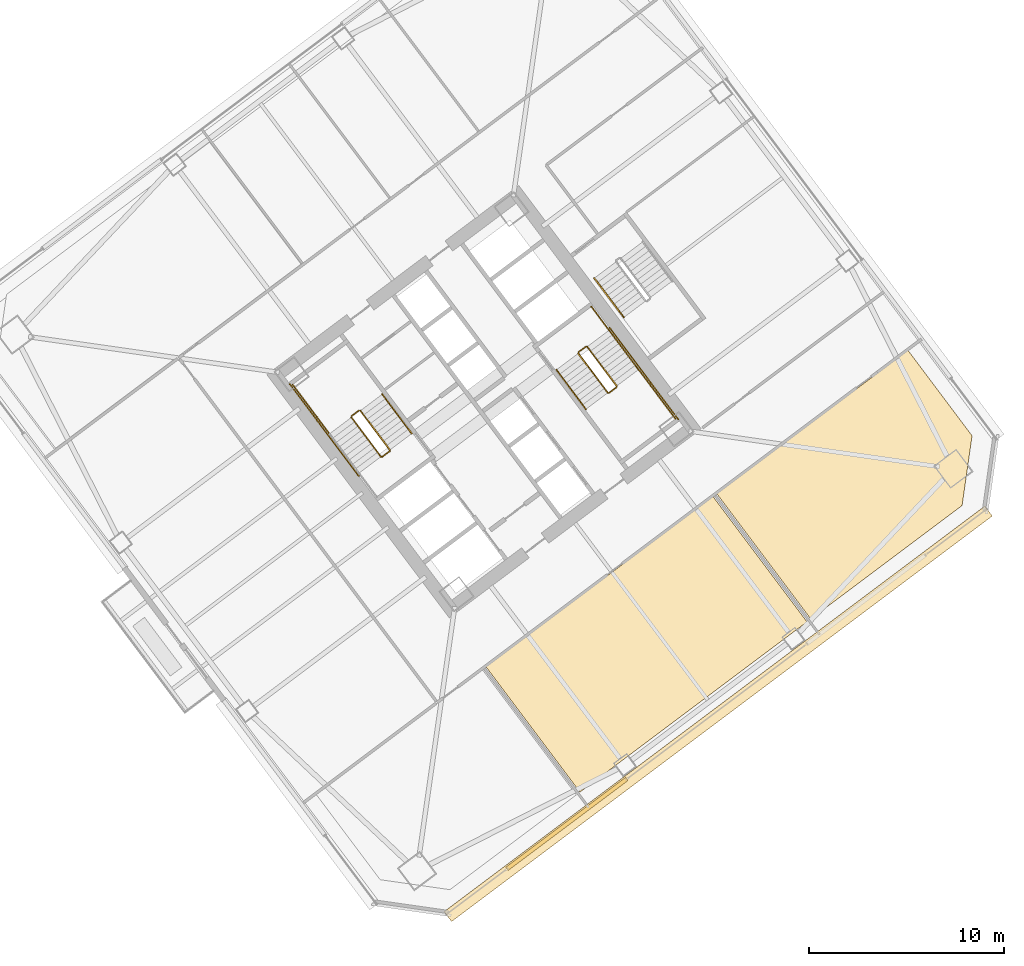
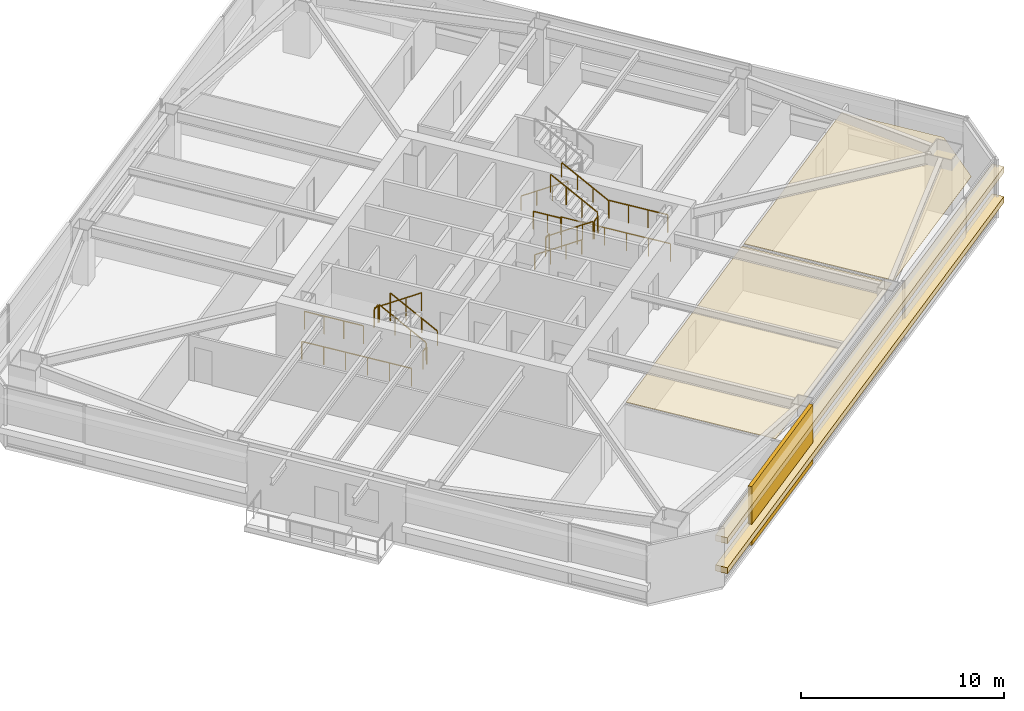
# One storey, part 41 of 44: 17 railings, 5 coverings.
"""IFC4 building model written with IfcOpenShell, lengths in metres."""

from ifc_helpers import new_model, si_unit, direction, frame, origin, origin_2d, place, context, subcontext, project, spatial, polyline, rectangle, outline, extrude, material, layer, layer_set, type_object, element, save


model = new_model("IFC4")

# Units and contexts
model_context = context("Model", 3, precision=1e-05, world=origin(), true_north=direction((0.0, 1.0)))
body_context = subcontext(model_context, "Body", "Model", "MODEL_VIEW")
ifc_project = project(units=[si_unit("LENGTHUNIT", "METRE"), si_unit("AREAUNIT", "SQUARE_METRE"), si_unit("VOLUMEUNIT", "CUBIC_METRE"), si_unit("PLANEANGLEUNIT", "RADIAN"), si_unit("MASSUNIT", "GRAM", prefix="KILO")], contexts=[model_context])

# Site, building, storey
site_placement = place(None, origin())
site = spatial("IfcSite", under=ifc_project, at=site_placement, CompositionType="ELEMENT")
building_placement = place(site_placement, origin())
building = spatial("IfcBuilding", under=site, at=building_placement, Name="Tashvorn Skyway Center", CompositionType="ELEMENT")
storey_placement = place(building_placement, frame((0.0, 0.0, 84.949951171875)))
storey = spatial("IfcBuildingStorey", under=building, at=storey_placement, Name="L22", CompositionType="ELEMENT", Elevation=84.949951171875)

# Coverings
ifc_material_1 = material(Name="Precast concrete C40/50", Category="concrete")
ifc_layer_1 = layer(ifc_material_1, 0.199951171875)
ifc_layer_set_1 = layer_set([ifc_layer_1], Name="Precast concrete C40/50")
covering_type_1 = type_object("IfcCoveringType", Name="COV-BRACE-CLAD", PredefinedType="CLADDING", material=ifc_layer_set_1)
covering_1_placement = place(storey_placement, frame((118.248046875, 10.3359375, 0.0), z_axis=(0.0, 0.0, 1.0), x_axis=(-0.799999996291, -0.600000004945, 0.0)))
element("IfcCovering", 1, at=covering_1_placement, inside=storey, type_object=covering_type_1, Name="Tower 2 L22 South Unitised Curtain Wall Mega-Brace Cladding Band 2", PredefinedType="CLADDING", context=body_context, shape_type="SweptSolid", body=[
    extrude(rectangle(XDim=7.679931640625, YDim=0.199951171875, at=origin_2d()), origin(), (0.0, 0.0, 1.0), 3.550048828125),
])
ifc_material_2 = material(Name="Mineral-fibre acoustic ceiling tile on suspended grid")
ifc_layer_2 = layer(ifc_material_2, 0.02001953125)
ifc_layer_set_2 = layer_set([ifc_layer_2], Name="Mineral-fibre acoustic ceiling tile on suspended grid")
covering_type_2 = type_object("IfcCoveringType", Name="COV-CEIL-20", PredefinedType="CEILING", material=ifc_layer_set_2)
covering_2_placement = place(storey_placement, frame((0.0, 0.0, 2.68310546875)))
element("IfcCovering", 2, at=covering_2_placement, inside=storey, type_object=covering_type_2, Name="Tower 2 L22 Security Control Room Acoustic Ceiling", PredefinedType="CEILING", context=body_context, shape_type="SweptSolid", body=[
    extrude(outline(polyline([(114.10009765625, 18.39990234375), (125.748046875, 27.135986328125), (130.572021484375, 20.7041015625), (118.924072265625, 11.968017578125), (114.10009765625, 18.39990234375)])), origin(), (0.0, 0.0, 1.0), 0.02001953125),
])
covering_3_placement = place(storey_placement, frame((0.0, 0.0, 2.68310546875)))
element("IfcCovering", 3, at=covering_3_placement, inside=storey, type_object=covering_type_2, Name="Tower 2 L22 Security Control Room Acoustic Ceiling", PredefinedType="CEILING", context=body_context, shape_type="SweptSolid", body=[
    extrude(outline(polyline([(130.763916015625, 20.847900390625), (125.93994140625, 27.280029296875), (135.748046875, 34.635986328125), (139.035888671875, 30.251953125), (138.52392578125, 26.66796875), (130.763916015625, 20.847900390625)])), origin(), (0.0, 0.0, 1.0), 0.02001953125),
])
ifc_material_3 = material(Name="Perforated ceramic-coated bronze aluminium solar screen", Category="aluminium")
ifc_layer_3 = layer(ifc_material_3, 0.85009765625)
ifc_layer_set_3 = layer_set([ifc_layer_3], Name="Perforated ceramic-coated bronze aluminium solar screen")
covering_type_3 = type_object("IfcCoveringType", Name="COV-SOLAR-BAND", PredefinedType="CLADDING", material=ifc_layer_set_3)
for number, where, z_axis, x_axis, name in (
    (4, (126.011962890625, 15.98388671875, 0.919921875), (0.0, 0.0, 1.0), (-0.799999996291, -0.600000004945, 0.0), "L22 Perforated Ceramic-Metal Solar Screen Louvre Band South 1"),
    (5, (126.011962890625, 15.98388671875, 2.72021484375), (0.0, 0.0, 1.0), (-0.799999996291, -0.600000004945, 0.0), "L22 Perforated Ceramic-Metal Solar Screen Louvre Band South 2"),
):
    element("IfcCovering", number, at=place(storey_placement, frame(where, z_axis=z_axis, x_axis=x_axis)), inside=storey, type_object=covering_type_3, Name=name, PredefinedType="CLADDING", context=body_context, shape_type="SweptSolid", body=[
        extrude(rectangle(XDim=34.679931640625, YDim=0.639892578125, at=origin_2d()), origin(), (0.0, 0.0, 1.0), 0.360107421875),
    ])

# Railings
ifc_material_4 = material(Name="Brushed stainless steel 316", Category="steel")
railing_type_1 = type_object("IfcRailingType", Name="RAIL-HAND-920", PredefinedType="HANDRAIL", material=ifc_material_4)
railing_1_placement = place(storey_placement, frame((110.2880859375, 30.365966796875, 0.177490234375)))
element("IfcRailing", 6, at=railing_1_placement, inside=storey, type_object=railing_type_1, Name="L22 ST-T2-1 stair handrail 1", PredefinedType="HANDRAIL", context=body_context, shape_type="SweptSolid", body=[
    extrude(rectangle(XDim=0.048095703125, YDim=0.048095703125, at=origin_2d()), frame((0.0, 0.0, 0.8759765625), z_axis=(-0.506779409603, 0.675651334276, 0.53541563714), x_axis=(-0.799976749893, -0.600030998891, 0.0)), (0.0, 0.0, 1.0), 2.98388671875),
    extrude(rectangle(XDim=0.0419921875, YDim=0.0419921875, at=origin_2d()), origin(), (0.0, 0.0, 1.0), 0.851806640625),
    extrude(rectangle(XDim=0.0419921875, YDim=0.0419921875, at=origin_2d()), frame((-0.504150390625, 0.672119140625, 0.532470703125)), (0.0, 0.0, 1.0), 0.851806640625),
    extrude(rectangle(XDim=0.0419921875, YDim=0.0419921875, at=origin_2d()), frame((-1.008056640625, 1.343994140625, 1.065185546875)), (0.0, 0.0, 1.0), 0.851806640625),
    extrude(rectangle(XDim=0.0419921875, YDim=0.0419921875, at=origin_2d()), frame((-1.51220703125, 2.01611328125, 1.59765625)), (0.0, 0.0, 1.0), 0.851806640625),
])
railing_2_placement = place(storey_placement, frame((117.7119140625, 33.634033203125, 0.177490234375)))
element("IfcRailing", 7, at=railing_2_placement, inside=storey, type_object=railing_type_1, Name="L22 ST-T2-2 stair handrail 1", PredefinedType="HANDRAIL", context=body_context, shape_type="SweptSolid", body=[
    extrude(rectangle(XDim=0.048095703125, YDim=0.048095703125, at=origin_2d()), frame((0.0, 0.0, 0.8759765625), z_axis=(0.506779409603, -0.675651334276, 0.53541563714), x_axis=(0.799976749893, 0.600030998891, 0.0)), (0.0, 0.0, 1.0), 2.98388671875),
    extrude(rectangle(XDim=0.0419921875, YDim=0.0419921875, at=origin_2d()), origin(), (0.0, 0.0, 1.0), 0.851806640625),
    extrude(rectangle(XDim=0.0419921875, YDim=0.0419921875, at=origin_2d()), frame((0.504150390625, -0.672119140625, 0.532470703125)), (0.0, 0.0, 1.0), 0.851806640625),
    extrude(rectangle(XDim=0.0419921875, YDim=0.0419921875, at=origin_2d()), frame((1.008056640625, -1.343994140625, 1.065185546875)), (0.0, 0.0, 1.0), 0.851806640625),
    extrude(rectangle(XDim=0.0419921875, YDim=0.0419921875, at=origin_2d()), frame((1.51220703125, -2.01611328125, 1.59765625)), (0.0, 0.0, 1.0), 0.851806640625),
])
railing_3_placement = place(storey_placement, frame((121.927978515625, 33.64599609375, 1.95263671875)))
element("IfcRailing", 8, at=railing_3_placement, inside=storey, type_object=railing_type_1, Name="L22 ST-T2-2 stair handrail 2", PredefinedType="HANDRAIL", context=body_context, shape_type="SweptSolid", body=[
    extrude(rectangle(XDim=0.048095703125, YDim=0.048095703125, at=origin_2d()), frame((0.0, 0.0, 0.8759765625), z_axis=(-0.506740800098, 0.675708949977, 0.535379469569), x_axis=(-0.800023250257, -0.599968998406, 0.0)), (0.0, 0.0, 1.0), 2.983642578125),
    extrude(rectangle(XDim=0.0419921875, YDim=0.0419921875, at=origin_2d()), origin(), (0.0, 0.0, 1.0), 0.851806640625),
    extrude(rectangle(XDim=0.0419921875, YDim=0.0419921875, at=origin_2d()), frame((-0.50390625, 0.672119140625, 0.532470703125)), (0.0, 0.0, 1.0), 0.851806640625),
    extrude(rectangle(XDim=0.0419921875, YDim=0.0419921875, at=origin_2d()), frame((-1.008056640625, 1.343994140625, 1.06494140625)), (0.0, 0.0, 1.0), 0.851806640625),
    extrude(rectangle(XDim=0.0419921875, YDim=0.0419921875, at=origin_2d()), frame((-1.511962890625, 2.01611328125, 1.597412109375)), (0.0, 0.0, 1.0), 0.851806640625),
])
railing_4_placement = place(storey_placement, frame((119.656005859375, 38.342041015625, 0.177490234375)))
element("IfcRailing", 9, at=railing_4_placement, inside=storey, type_object=railing_type_1, Name="L22 ST-T2-3 stair handrail 1", PredefinedType="HANDRAIL", context=body_context, shape_type="SweptSolid", body=[
    extrude(rectangle(XDim=0.048095703125, YDim=0.048095703125, at=origin_2d()), frame((0.0, 0.0, 0.8759765625), z_axis=(0.506718600913, -0.675679348675, 0.535437836974), x_axis=(0.800023250257, 0.599968998406, 0.0)), (0.0, 0.0, 1.0), 2.98388671875),
    extrude(rectangle(XDim=0.0419921875, YDim=0.0419921875, at=origin_2d()), origin(), (0.0, 0.0, 1.0), 0.851806640625),
    extrude(rectangle(XDim=0.0419921875, YDim=0.0419921875, at=origin_2d()), frame((0.50390625, -0.672119140625, 0.532470703125)), (0.0, 0.0, 1.0), 0.851806640625),
    extrude(rectangle(XDim=0.0419921875, YDim=0.0419921875, at=origin_2d()), frame((1.008056640625, -1.343994140625, 1.065185546875)), (0.0, 0.0, 1.0), 0.851806640625),
    extrude(rectangle(XDim=0.0419921875, YDim=0.0419921875, at=origin_2d()), frame((1.511962890625, -2.01611328125, 1.59765625)), (0.0, 0.0, 1.0), 0.851806640625),
])
ifc_material_5 = material(Name="Painted galvanized steel S355", Category="steel")
railing_type_2 = type_object("IfcRailingType", Name="RAIL-STGUARD-1100", PredefinedType="GUARDRAIL", material=ifc_material_5)
railing_5_placement = place(storey_placement, frame((109.16796875, 29.52587890625, 0.177490234375)))
element("IfcRailing", 10, at=railing_5_placement, inside=storey, type_object=railing_type_2, Name="L22 ST-T2-1 stair guard 1", PredefinedType="GUARDRAIL", context=body_context, shape_type="SweptSolid", body=[
    extrude(rectangle(XDim=0.048095703125, YDim=0.048095703125, at=origin_2d()), frame((0.0, 0.0, 1.076171875), z_axis=(-0.506718600913, 0.675679348675, 0.535437836974), x_axis=(-0.800023250257, -0.599968998406, 0.0)), (0.0, 0.0, 1.0), 2.98388671875),
    extrude(rectangle(XDim=0.0419921875, YDim=0.0419921875, at=origin_2d()), origin(), (0.0, 0.0, 1.0), 1.052001953125),
    extrude(rectangle(XDim=0.0419921875, YDim=0.0419921875, at=origin_2d()), frame((-0.50390625, 0.672119140625, 0.532470703125)), (0.0, 0.0, 1.0), 1.052001953125),
    extrude(rectangle(XDim=0.0419921875, YDim=0.0419921875, at=origin_2d()), frame((-1.008056640625, 1.343994140625, 1.065185546875)), (0.0, 0.0, 1.0), 1.052001953125),
    extrude(rectangle(XDim=0.0419921875, YDim=0.0419921875, at=origin_2d()), frame((-1.511962890625, 2.01611328125, 1.59765625)), (0.0, 0.0, 1.0), 1.052001953125),
])
railing_6_placement = place(storey_placement, frame((107.5859375, 31.552001953125, 1.775146484375)))
element("IfcRailing", 11, at=railing_6_placement, inside=storey, type_object=railing_type_2, Name="L22 ST-T2-1 stair guard 2", PredefinedType="GUARDRAIL", context=body_context, shape_type="SweptSolid", body=[
    extrude(rectangle(XDim=0.048095703125, YDim=0.048095703125, at=origin_2d()), frame((0.0, 0.0, 1.076171875), z_axis=(-0.799938970639, -0.600081363861, 0.0), x_axis=(0.600081363861, -0.799938970639, 0.0)), (0.0, 0.0, 1.0), 0.47998046875),
    extrude(rectangle(XDim=0.0419921875, YDim=0.0419921875, at=origin_2d()), origin(), (0.0, 0.0, 1.0), 1.052001953125),
    extrude(rectangle(XDim=0.0419921875, YDim=0.0419921875, at=origin_2d()), frame((-0.384033203125, -0.2880859375, 0.0)), (0.0, 0.0, 1.0), 1.052001953125),
])
railing_7_placement = place(storey_placement, frame((106.072021484375, 30.35400390625, 1.775146484375)))
element("IfcRailing", 12, at=railing_7_placement, inside=storey, type_object=railing_type_2, Name="L22 ST-T2-1 stair guard 3", PredefinedType="GUARDRAIL", context=body_context, shape_type="SweptSolid", body=[
    extrude(rectangle(XDim=0.048095703125, YDim=0.048095703125, at=origin_2d()), frame((0.0, 0.0, 1.076171875), z_axis=(-0.599987638607, 0.800009270896, 0.0), x_axis=(-0.800009270896, -0.599987638607, 0.0)), (0.0, 0.0, 1.0), 3.16015625),
    extrude(rectangle(XDim=0.0419921875, YDim=0.0419921875, at=origin_2d()), origin(), (0.0, 0.0, 1.0), 1.052001953125),
    extrude(rectangle(XDim=0.0419921875, YDim=0.0419921875, at=origin_2d()), frame((-0.632080078125, 0.8427734375, 0.0)), (0.0, 0.0, 1.0), 1.052001953125),
    extrude(rectangle(XDim=0.0419921875, YDim=0.0419921875, at=origin_2d()), frame((-1.263916015625, 1.685302734375, 0.0)), (0.0, 0.0, 1.0), 1.052001953125),
    extrude(rectangle(XDim=0.0419921875, YDim=0.0419921875, at=origin_2d()), frame((-1.89599609375, 2.528076171875, 0.0)), (0.0, 0.0, 1.0), 1.052001953125),
])
railing_8_placement = place(storey_placement, frame((107.19189453125, 31.194091796875, 1.95263671875)))
element("IfcRailing", 13, at=railing_8_placement, inside=storey, type_object=railing_type_2, Name="L22 ST-T2-1 stair guard 4", PredefinedType="GUARDRAIL", context=body_context, shape_type="SweptSolid", body=[
    extrude(rectangle(XDim=0.048095703125, YDim=0.048095703125, at=origin_2d()), frame((0.0, 0.0, 1.076171875), z_axis=(0.506801609611, -0.675680931896, 0.535357270211), x_axis=(0.799976749893, 0.600030998891, 0.0)), (0.0, 0.0, 1.0), 2.98388671875),
    extrude(rectangle(XDim=0.0419921875, YDim=0.0419921875, at=origin_2d()), origin(), (0.0, 0.0, 1.0), 1.052001953125),
    extrude(rectangle(XDim=0.0419921875, YDim=0.0419921875, at=origin_2d()), frame((0.504150390625, -0.672119140625, 0.532470703125)), (0.0, 0.0, 1.0), 1.052001953125),
    extrude(rectangle(XDim=0.0419921875, YDim=0.0419921875, at=origin_2d()), frame((1.008056640625, -1.343994140625, 1.06494140625)), (0.0, 0.0, 1.0), 1.052001953125),
    extrude(rectangle(XDim=0.0419921875, YDim=0.0419921875, at=origin_2d()), frame((1.51220703125, -2.01611328125, 1.597412109375)), (0.0, 0.0, 1.0), 1.052001953125),
])
railing_9_placement = place(storey_placement, frame((109.157958984375, 29.4560546875, 0.0)))
element("IfcRailing", 14, at=railing_9_placement, inside=storey, type_object=railing_type_2, Name="L22 ST-T2-1 stair guard 5", PredefinedType="GUARDRAIL", context=body_context, shape_type="SweptSolid", body=[
    extrude(rectangle(XDim=0.048095703125, YDim=0.048095703125, at=origin_2d()), frame((0.0, 0.0, 1.076171875), z_axis=(-0.799938970639, -0.600081363861, 0.0), x_axis=(0.600081363861, -0.799938970639, 0.0)), (0.0, 0.0, 1.0), 0.47998046875),
    extrude(rectangle(XDim=0.0419921875, YDim=0.0419921875, at=origin_2d()), origin(), (0.0, 0.0, 1.0), 1.052001953125),
    extrude(rectangle(XDim=0.0419921875, YDim=0.0419921875, at=origin_2d()), frame((-0.384033203125, -0.2880859375, 0.0)), (0.0, 0.0, 1.0), 1.052001953125),
])
railing_10_placement = place(storey_placement, frame((107.56396484375, 28.197998046875, 0.0)))
element("IfcRailing", 15, at=railing_10_placement, inside=storey, type_object=railing_type_2, Name="L22 ST-T2-1 stair guard 7", PredefinedType="GUARDRAIL", context=body_context, shape_type="SweptSolid", body=[
    extrude(rectangle(XDim=0.048095703125, YDim=0.048095703125, at=origin_2d()), frame((0.0, 0.0, 1.076171875), z_axis=(-0.6, 0.8, 0.0), x_axis=(-0.8, -0.6, 0.0)), (0.0, 0.0, 1.0), 5.880126953125),
    extrude(rectangle(XDim=0.0419921875, YDim=0.0419921875, at=origin_2d()), origin(), (0.0, 0.0, 1.0), 1.052001953125),
    extrude(rectangle(XDim=0.0419921875, YDim=0.0419921875, at=origin_2d()), frame((-0.70556640625, 0.94091796875, 0.0)), (0.0, 0.0, 1.0), 1.052001953125),
    extrude(rectangle(XDim=0.0419921875, YDim=0.0419921875, at=origin_2d()), frame((-1.4111328125, 1.881591796875, 0.0)), (0.0, 0.0, 1.0), 1.052001953125),
    extrude(rectangle(XDim=0.0419921875, YDim=0.0419921875, at=origin_2d()), frame((-2.116943359375, 2.822509765625, 0.0)), (0.0, 0.0, 1.0), 1.052001953125),
    extrude(rectangle(XDim=0.0419921875, YDim=0.0419921875, at=origin_2d()), frame((-2.822509765625, 3.76318359375, 0.0)), (0.0, 0.0, 1.0), 1.052001953125),
    extrude(rectangle(XDim=0.0419921875, YDim=0.0419921875, at=origin_2d()), frame((-3.528076171875, 4.7041015625, 0.0)), (0.0, 0.0, 1.0), 1.052001953125),
])
railing_11_placement = place(storey_placement, frame((118.83203125, 34.47412109375, 0.177490234375)))
element("IfcRailing", 16, at=railing_11_placement, inside=storey, type_object=railing_type_2, Name="L22 ST-T2-2 stair guard 1", PredefinedType="GUARDRAIL", context=body_context, shape_type="SweptSolid", body=[
    extrude(rectangle(XDim=0.048095703125, YDim=0.048095703125, at=origin_2d()), frame((0.0, 0.0, 1.076171875), z_axis=(0.506718600913, -0.675679348675, 0.535437836974), x_axis=(0.800023250257, 0.599968998406, 0.0)), (0.0, 0.0, 1.0), 2.98388671875),
    extrude(rectangle(XDim=0.0419921875, YDim=0.0419921875, at=origin_2d()), origin(), (0.0, 0.0, 1.0), 1.052001953125),
    extrude(rectangle(XDim=0.0419921875, YDim=0.0419921875, at=origin_2d()), frame((0.50390625, -0.672119140625, 0.532470703125)), (0.0, 0.0, 1.0), 1.052001953125),
    extrude(rectangle(XDim=0.0419921875, YDim=0.0419921875, at=origin_2d()), frame((1.008056640625, -1.343994140625, 1.065185546875)), (0.0, 0.0, 1.0), 1.052001953125),
    extrude(rectangle(XDim=0.0419921875, YDim=0.0419921875, at=origin_2d()), frame((1.511962890625, -2.01611328125, 1.59765625)), (0.0, 0.0, 1.0), 1.052001953125),
])
railing_12_placement = place(storey_placement, frame((120.4140625, 32.447998046875, 1.775146484375)))
element("IfcRailing", 17, at=railing_12_placement, inside=storey, type_object=railing_type_2, Name="L22 ST-T2-2 stair guard 2", PredefinedType="GUARDRAIL", context=body_context, shape_type="SweptSolid", body=[
    extrude(rectangle(XDim=0.048095703125, YDim=0.048095703125, at=origin_2d()), frame((0.0, 0.0, 1.076171875), z_axis=(0.799938970639, 0.600081363861, 0.0), x_axis=(-0.600081363861, 0.799938970639, 0.0)), (0.0, 0.0, 1.0), 0.47998046875),
    extrude(rectangle(XDim=0.0419921875, YDim=0.0419921875, at=origin_2d()), origin(), (0.0, 0.0, 1.0), 1.052001953125),
    extrude(rectangle(XDim=0.0419921875, YDim=0.0419921875, at=origin_2d()), frame((0.384033203125, 0.2880859375, 0.0)), (0.0, 0.0, 1.0), 1.052001953125),
])
railing_13_placement = place(storey_placement, frame((121.927978515625, 33.64599609375, 1.775146484375)))
element("IfcRailing", 18, at=railing_13_placement, inside=storey, type_object=railing_type_2, Name="L22 ST-T2-2 stair guard 3", PredefinedType="GUARDRAIL", context=body_context, shape_type="SweptSolid", body=[
    extrude(rectangle(XDim=0.048095703125, YDim=0.048095703125, at=origin_2d()), frame((0.0, 0.0, 1.076171875), z_axis=(0.599987638607, -0.800009270896, 0.0), x_axis=(0.800009270896, 0.599987638607, 0.0)), (0.0, 0.0, 1.0), 3.16015625),
    extrude(rectangle(XDim=0.0419921875, YDim=0.0419921875, at=origin_2d()), origin(), (0.0, 0.0, 1.0), 1.052001953125),
    extrude(rectangle(XDim=0.0419921875, YDim=0.0419921875, at=origin_2d()), frame((0.632080078125, -0.8427734375, 0.0)), (0.0, 0.0, 1.0), 1.052001953125),
    extrude(rectangle(XDim=0.0419921875, YDim=0.0419921875, at=origin_2d()), frame((1.263916015625, -1.685302734375, 0.0)), (0.0, 0.0, 1.0), 1.052001953125),
    extrude(rectangle(XDim=0.0419921875, YDim=0.0419921875, at=origin_2d()), frame((1.89599609375, -2.528076171875, 0.0)), (0.0, 0.0, 1.0), 1.052001953125),
])
railing_14_placement = place(storey_placement, frame((120.80810546875, 32.805908203125, 1.95263671875)))
element("IfcRailing", 19, at=railing_14_placement, inside=storey, type_object=railing_type_2, Name="L22 ST-T2-2 stair guard 4", PredefinedType="GUARDRAIL", context=body_context, shape_type="SweptSolid", body=[
    extrude(rectangle(XDim=0.048095703125, YDim=0.048095703125, at=origin_2d()), frame((0.0, 0.0, 1.076171875), z_axis=(-0.506801609611, 0.675680931896, 0.535357270211), x_axis=(-0.799976749893, -0.600030998891, 0.0)), (0.0, 0.0, 1.0), 2.98388671875),
    extrude(rectangle(XDim=0.0419921875, YDim=0.0419921875, at=origin_2d()), origin(), (0.0, 0.0, 1.0), 1.052001953125),
    extrude(rectangle(XDim=0.0419921875, YDim=0.0419921875, at=origin_2d()), frame((-0.504150390625, 0.672119140625, 0.532470703125)), (0.0, 0.0, 1.0), 1.052001953125),
    extrude(rectangle(XDim=0.0419921875, YDim=0.0419921875, at=origin_2d()), frame((-1.008056640625, 1.343994140625, 1.06494140625)), (0.0, 0.0, 1.0), 1.052001953125),
    extrude(rectangle(XDim=0.0419921875, YDim=0.0419921875, at=origin_2d()), frame((-1.51220703125, 2.01611328125, 1.597412109375)), (0.0, 0.0, 1.0), 1.052001953125),
])
railing_15_placement = place(storey_placement, frame((118.842041015625, 34.5439453125, 0.0)))
element("IfcRailing", 20, at=railing_15_placement, inside=storey, type_object=railing_type_2, Name="L22 ST-T2-2 stair guard 5", PredefinedType="GUARDRAIL", context=body_context, shape_type="SweptSolid", body=[
    extrude(rectangle(XDim=0.048095703125, YDim=0.048095703125, at=origin_2d()), frame((0.0, 0.0, 1.076171875), z_axis=(0.799938970639, 0.600081363861, 0.0), x_axis=(-0.600081363861, 0.799938970639, 0.0)), (0.0, 0.0, 1.0), 0.47998046875),
    extrude(rectangle(XDim=0.0419921875, YDim=0.0419921875, at=origin_2d()), origin(), (0.0, 0.0, 1.0), 1.052001953125),
    extrude(rectangle(XDim=0.0419921875, YDim=0.0419921875, at=origin_2d()), frame((0.384033203125, 0.2880859375, 0.0)), (0.0, 0.0, 1.0), 1.052001953125),
])
railing_16_placement = place(storey_placement, frame((119.50390625, 36.8779296875, 0.0)))
element("IfcRailing", 21, at=railing_16_placement, inside=storey, type_object=railing_type_2, Name="L22 ST-T2-2 stair guard 6", PredefinedType="GUARDRAIL", context=body_context, shape_type="SweptSolid", body=[
    extrude(rectangle(XDim=0.048095703125, YDim=0.048095703125, at=origin_2d()), frame((0.0, 0.0, 1.076171875), z_axis=(0.600102796382, -0.799922892393, 0.0), x_axis=(0.799922892393, 0.600102796382, 0.0)), (0.0, 0.0, 1.0), 1.52001953125),
    extrude(rectangle(XDim=0.0419921875, YDim=0.0419921875, at=origin_2d()), origin(), (0.0, 0.0, 1.0), 1.052001953125),
    extrude(rectangle(XDim=0.0419921875, YDim=0.0419921875, at=origin_2d()), frame((0.4560546875, -0.60791015625, 0.0)), (0.0, 0.0, 1.0), 1.052001953125),
    extrude(rectangle(XDim=0.0419921875, YDim=0.0419921875, at=origin_2d()), frame((0.912109375, -1.2158203125, 0.0)), (0.0, 0.0, 1.0), 1.052001953125),
])
railing_17_placement = place(storey_placement, frame((120.43603515625, 35.802001953125, 0.0)))
element("IfcRailing", 22, at=railing_17_placement, inside=storey, type_object=railing_type_2, Name="L22 ST-T2-2 stair guard 7", PredefinedType="GUARDRAIL", context=body_context, shape_type="SweptSolid", body=[
    extrude(rectangle(XDim=0.048095703125, YDim=0.048095703125, at=origin_2d()), frame((0.0, 0.0, 1.076171875), z_axis=(0.6, -0.8, 0.0), x_axis=(0.8, 0.6, 0.0)), (0.0, 0.0, 1.0), 5.880126953125),
    extrude(rectangle(XDim=0.0419921875, YDim=0.0419921875, at=origin_2d()), origin(), (0.0, 0.0, 1.0), 1.052001953125),
    extrude(rectangle(XDim=0.0419921875, YDim=0.0419921875, at=origin_2d()), frame((0.70556640625, -0.94091796875, 0.0)), (0.0, 0.0, 1.0), 1.052001953125),
    extrude(rectangle(XDim=0.0419921875, YDim=0.0419921875, at=origin_2d()), frame((1.4111328125, -1.881591796875, 0.0)), (0.0, 0.0, 1.0), 1.052001953125),
    extrude(rectangle(XDim=0.0419921875, YDim=0.0419921875, at=origin_2d()), frame((2.116943359375, -2.822509765625, 0.0)), (0.0, 0.0, 1.0), 1.052001953125),
    extrude(rectangle(XDim=0.0419921875, YDim=0.0419921875, at=origin_2d()), frame((2.822509765625, -3.76318359375, 0.0)), (0.0, 0.0, 1.0), 1.052001953125),
    extrude(rectangle(XDim=0.0419921875, YDim=0.0419921875, at=origin_2d()), frame((3.528076171875, -4.7041015625, 0.0)), (0.0, 0.0, 1.0), 1.052001953125),
])

save(model, "model.ifc")
